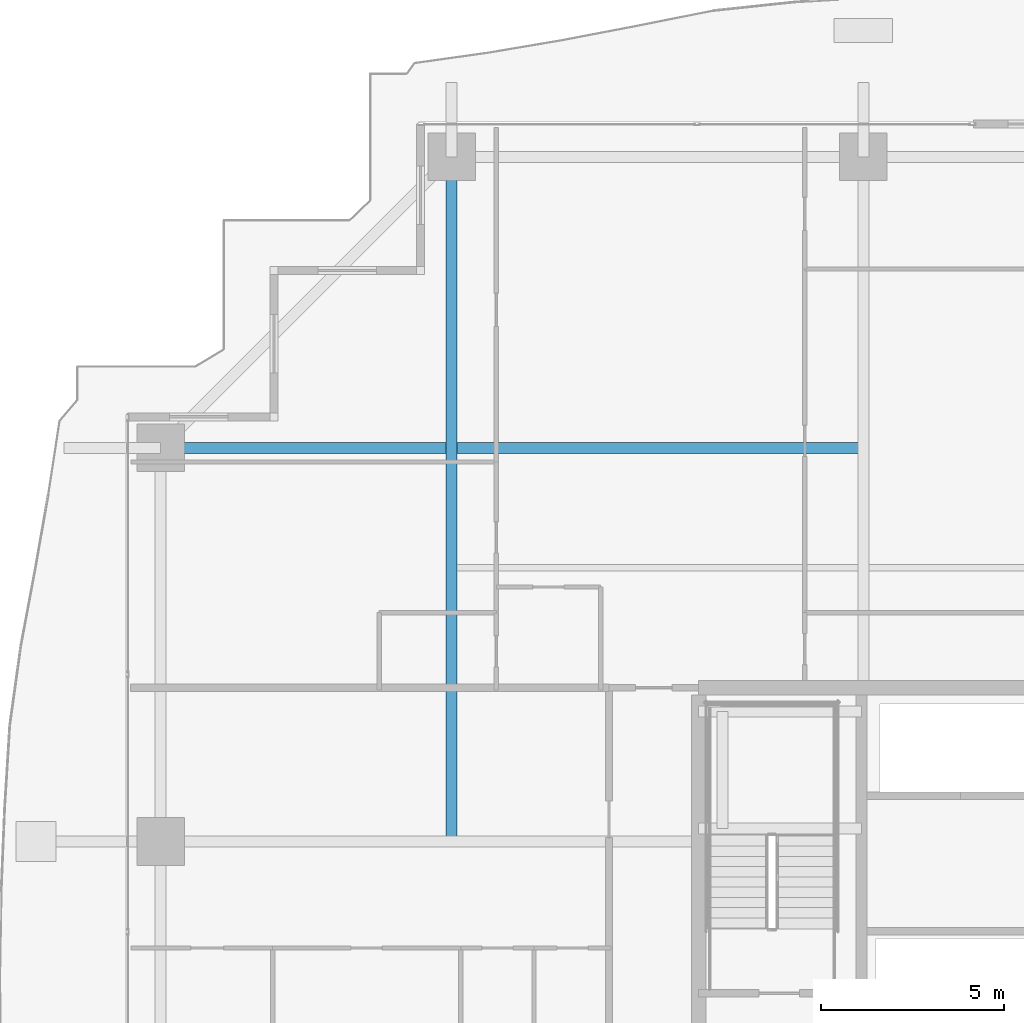
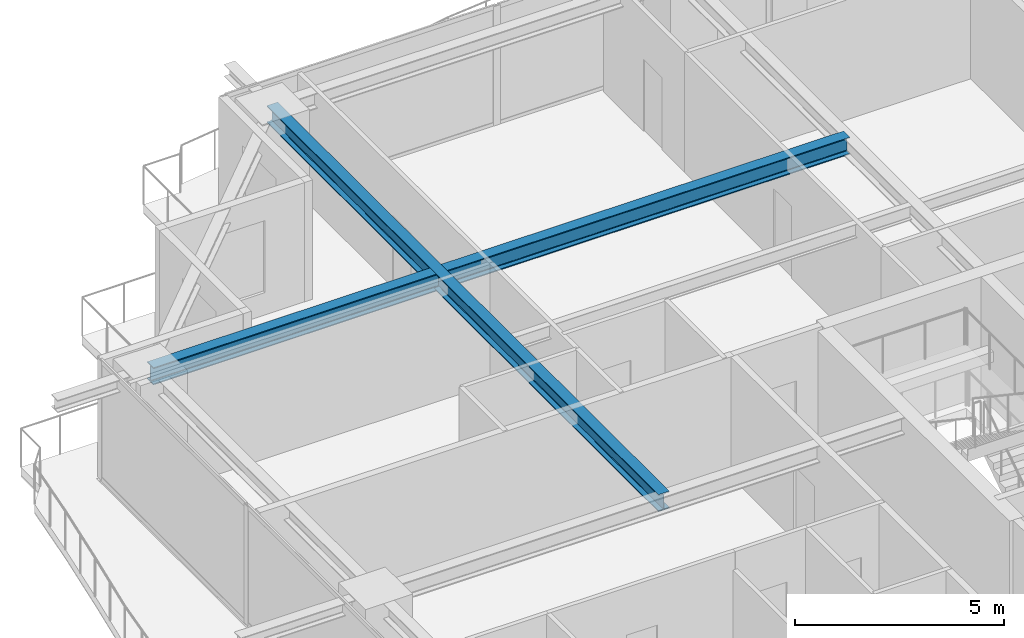
# One storey, part 18 of 38: 2 beams.
"""IFC4 building model written with IfcOpenShell, lengths in metres."""

from ifc_helpers import new_model, si_unit, direction, frame, origin, origin_2d, place, context, subcontext, project, spatial, i_section, extrude, source, transform, mapped, material, material_profile, profile_set, type_object, element, save


model = new_model("IFC4")

# Units and contexts
model_context = context("Model", 3, precision=1e-05, world=origin(), true_north=direction((0.0, 1.0)))
body_context = subcontext(model_context, "Body", "Model", "MODEL_VIEW")
ifc_project = project(units=[si_unit("LENGTHUNIT", "METRE"), si_unit("AREAUNIT", "SQUARE_METRE"), si_unit("VOLUMEUNIT", "CUBIC_METRE"), si_unit("PLANEANGLEUNIT", "RADIAN"), si_unit("MASSUNIT", "GRAM", prefix="KILO")], contexts=[model_context])

# Site, building, storey
site_placement = place(None, origin())
site = spatial("IfcSite", under=ifc_project, at=site_placement, CompositionType="ELEMENT")
building_placement = place(site_placement, origin())
building = spatial("IfcBuilding", under=site, at=building_placement, Name="Serunith Strait Residences", CompositionType="ELEMENT")
storey_placement = place(building_placement, frame((0.0, 0.0, 183.89990234375)))
storey = spatial("IfcBuildingStorey", under=building, at=storey_placement, Name="L46", CompositionType="ELEMENT", Elevation=183.89990234375)

# Beams
ifc_material = material(Name="Steel S355J2", Category="steel")
ifc_material_profile = material_profile(ifc_material, i_section(OverallWidth=0.300048828125, OverallDepth=0.5, WebThickness=0.014404296875, FlangeThickness=0.028076171875, FilletRadius=0.027099609375, at=origin_2d()), Name="HEB 500")
ifc_profile_set = profile_set([ifc_material_profile], Name="Steel S355J2")
beam_type = type_object("IfcBeamType", Name="BM-HEB500", PredefinedType="BEAM", material=ifc_profile_set)
shared_shape_1 = source(origin(), body_context, "Body", "SweptSolid", [
    extrude(i_section(OverallWidth=0.300048828125, OverallDepth=0.5, WebThickness=0.014404296875, FlangeThickness=0.028076171875, FilletRadius=0.027099609375, at=origin_2d()), origin(), (0.0, 0.0, 1.0), 18.7001953125),
])
beam_1_placement = place(storey_placement, frame((16.64990234375, 29.39990234375, 3.237060546875), z_axis=(0.0, 1.0, 0.0), x_axis=(-1.0, 0.0, 0.0)))
element("IfcBeam", 1, at=beam_1_placement, inside=storey, type_object=beam_type, Name="L46 Orthogonal Corner Girder TC-N1", PredefinedType="BEAM", context=body_context, shape_type="MappedRepresentation", body=[
    mapped(shared_shape_1, transform((0.0, 0.0, 0.0), scale=1.0)),
])
shared_shape_2 = source(origin(), body_context, "Body", "SweptSolid", [
    extrude(i_section(OverallWidth=0.300048828125, OverallDepth=0.5, WebThickness=0.014404296875, FlangeThickness=0.028076171875, FilletRadius=0.027099609375, at=origin_2d()), origin(), (0.0, 0.0, 1.0), 19.199951171875),
])
beam_2_placement = place(storey_placement, frame((27.89990234375, 40.14990234375, 3.237060546875), z_axis=(-1.0, 0.0, 0.0), x_axis=(0.0, -1.0, 0.0)))
element("IfcBeam", 2, at=beam_2_placement, inside=storey, type_object=beam_type, Name="L46 Orthogonal Corner Girder TC-W4", PredefinedType="BEAM", context=body_context, shape_type="MappedRepresentation", body=[
    mapped(shared_shape_2, transform((0.0, 0.0, 0.0), scale=1.0)),
])

save(model, "model.ifc")
